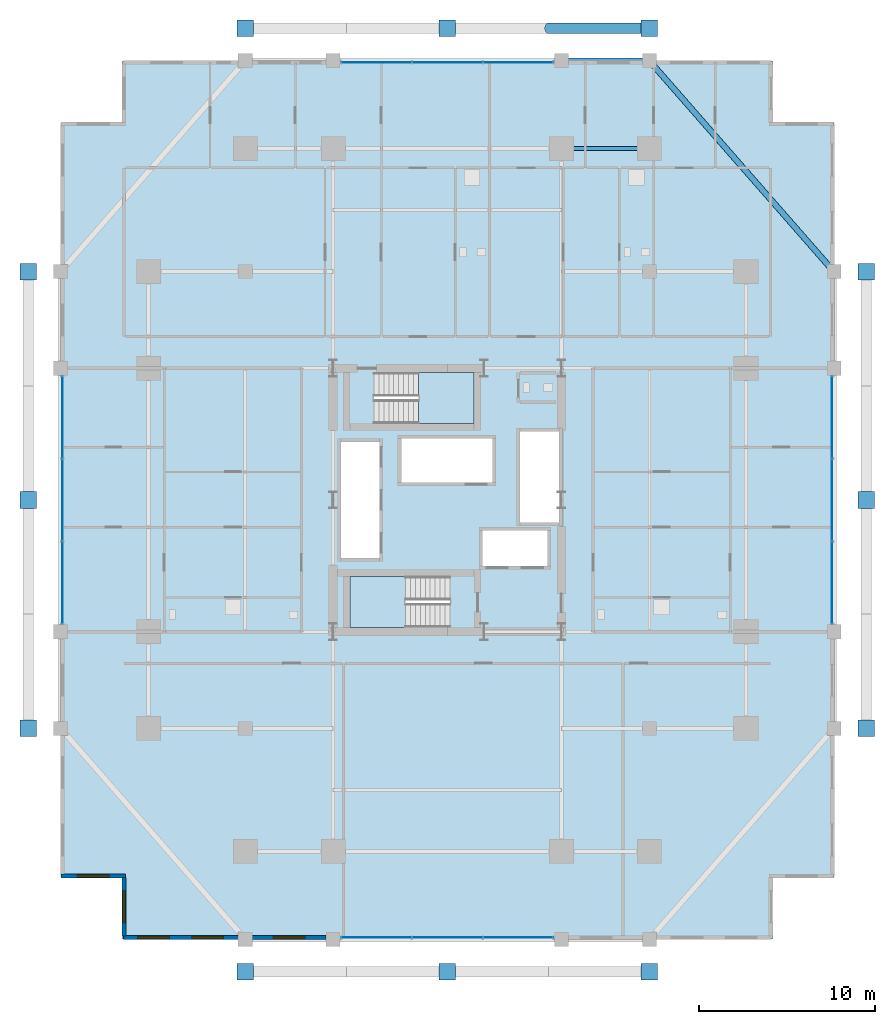
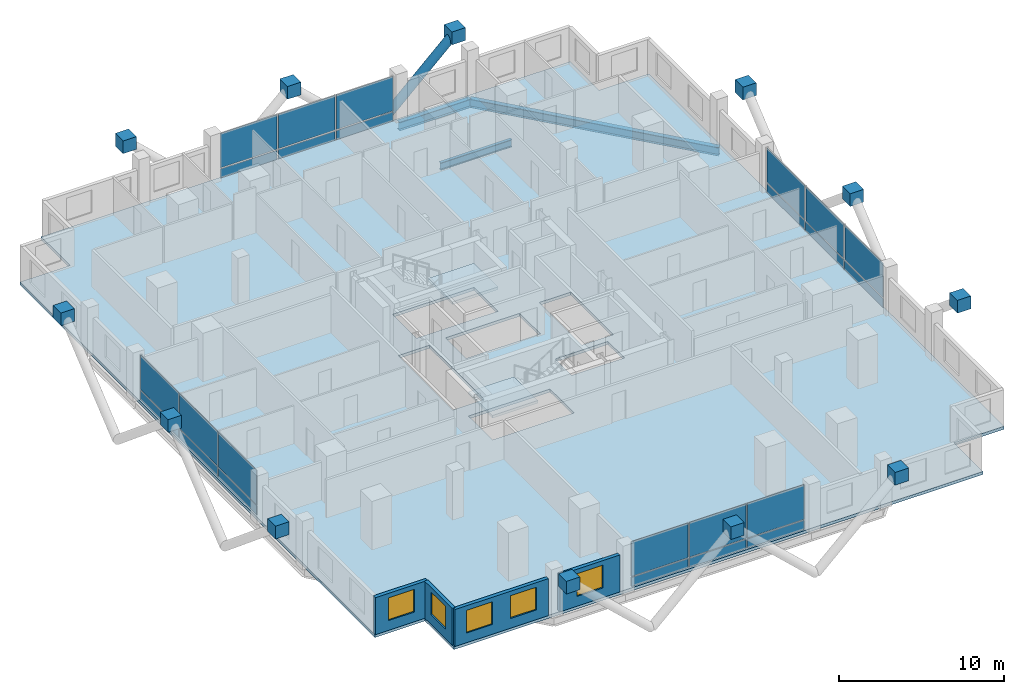
# One storey, part 16 of 23: 36 plates, 5 windows, 4 walls, 3 beams, 3 slabs, 1 member, 5 openings, 6 elements without a shape of their own.
"""IFC4 building model written with IfcOpenShell, lengths in metres."""

import ifcopenshell
import ifcopenshell.guid

model = None  # the IFC model being written
_history = None  # IfcOwnerHistory: only IFC2X3 demands one
_inside = {}  # id of a spatial element -> (the spatial element, [elements in it])
_under = {}  # id of a project, library or spatial element -> (it, [spatial elements below it])
_declared = {}  # id of a project -> (the project, [libraries it declares])
_typed = {}  # id of a type object -> (the type object, [elements of that type])
_made_of = {}  # id of a material, layer set ... -> (it, [elements and type objects made of it])


def new_model(schema):
    """Start an empty IFC model of exactly this schema.

    Asked for "IFC4X3", IfcOpenShell would pick the latest addendum, in which some entities
    have other attributes; the version numbers below select the first issue.
    IFC2X3 requires an IfcOwnerHistory on every rooted entity: one is made here for all.
    """
    global model, _history
    if schema == "IFC4X3":
        model = ifcopenshell.file(schema_version=(4, 3, 0, 0))
    else:
        model = ifcopenshell.file(schema=schema)
    _inside.clear()
    _under.clear()
    _declared.clear()
    _typed.clear()
    _made_of.clear()
    _history = None
    if model.schema == "IFC2X3":
        org = make("IfcOrganization", Name="unknown")
        user = make(
            "IfcPersonAndOrganization",
            ThePerson=make("IfcPerson", FamilyName="unknown"),
            TheOrganization=org,
        )
        app = make(
            "IfcApplication",
            ApplicationDeveloper=org,
            Version="unknown",
            ApplicationFullName="unknown",
            ApplicationIdentifier="unknown",
        )
        _history = make(
            "IfcOwnerHistory",
            OwningUser=user,
            OwningApplication=app,
            ChangeAction="ADDED",
            CreationDate=0,
        )
    return model


def make(cls, **values):
    """One entity of the class cls with the attributes given. An attribute that is None is left unset."""
    return model.create_entity(
        cls, **{name: value for name, value in values.items() if value is not None}
    )


def rooted(cls, **values):
    """An entity with a GlobalId (a new one), such as an element, a storey or a relation."""
    return make(cls, GlobalId=ifcopenshell.guid.new(), OwnerHistory=_history, **values)


def si_unit(unit_type, name, prefix=None):
    """IfcSIUnit, for example si_unit("LENGTHUNIT", "METRE", prefix="MILLI")."""
    return make("IfcSIUnit", UnitType=unit_type, Prefix=prefix, Name=name)


def assignment(units):
    """IfcUnitAssignment: the units of a project."""
    return None if units is None else make("IfcUnitAssignment", Units=units)


def point(xyz):
    """IfcCartesianPoint."""
    return None if xyz is None else make("IfcCartesianPoint", Coordinates=xyz)


def direction(xyz):
    """IfcDirection."""
    return None if xyz is None else make("IfcDirection", DirectionRatios=xyz)


def frame(location, z_axis=None, x_axis=None):
    """IfcAxis2Placement3D, a coordinate frame: its origin and axes. An axis left out is left unset."""
    return make(
        "IfcAxis2Placement3D",
        Location=point(location),
        Axis=direction(z_axis),
        RefDirection=direction(x_axis),
    )


def frame_2d(location, x_axis=None):
    """IfcAxis2Placement2D, a coordinate frame in the plane: its origin and x axis."""
    return make(
        "IfcAxis2Placement2D", Location=point(location), RefDirection=direction(x_axis)
    )


def origin():
    """The frame at (0, 0, 0) with its axes left unset."""
    return frame((0.0, 0.0, 0.0))


def origin_2d():
    """The frame at (0, 0) in the plane with its x axis left unset."""
    return frame_2d((0.0, 0.0))


def place(relative_to, where):
    """IfcLocalPlacement: puts the frame where relative to a parent placement (None: the world)."""
    return make(
        "IfcLocalPlacement", PlacementRelTo=relative_to, RelativePlacement=where
    )


def context(
    kind, dimensions, precision=None, world=None, true_north=None, identifier=None
):
    """IfcGeometricRepresentationContext, for example the 3D "Model" context."""
    return make(
        "IfcGeometricRepresentationContext",
        ContextIdentifier=identifier,
        ContextType=kind,
        CoordinateSpaceDimension=dimensions,
        Precision=precision,
        WorldCoordinateSystem=world,
        TrueNorth=true_north,
    )


def subcontext(parent, identifier, kind, view, scale=None):
    """IfcGeometricRepresentationSubContext, for example "Body" below "Model"."""
    return make(
        "IfcGeometricRepresentationSubContext",
        ContextIdentifier=identifier,
        ContextType=kind,
        ParentContext=parent,
        TargetScale=scale,
        TargetView=view,
    )


def project(units=None, contexts=None):
    """IfcProject with its units and contexts."""
    return rooted(
        "IfcProject",
        Name="project",
        RepresentationContexts=contexts,
        UnitsInContext=assignment(units),
    )


def spatial(cls, under=None, at=None, **own):
    """A site, building, storey or space (cls), placed at a placement, below another one or the project."""
    s = rooted(cls, ObjectPlacement=at, **own)
    if under is not None:
        _under.setdefault(under.id(), (under, []))[1].append(s)
    return s


def polyline(points):
    """IfcPolyline through the points."""
    return make("IfcPolyline", Points=[point(p) for p in points])


def profile(cls, at=None, kind="AREA", **sizes):
    """A parametric profile (cls). Its sizes go by their IFC names, for example OverallWidth=200.0."""
    return make(cls, ProfileType=kind, Position=at, **sizes)


def rectangle(**sizes):
    """IfcRectangleProfileDef."""
    return profile("IfcRectangleProfileDef", **sizes)


def hollow_circle(**sizes):
    """IfcCircleHollowProfileDef."""
    return profile("IfcCircleHollowProfileDef", **sizes)


def i_section(**sizes):
    """IfcIShapeProfileDef."""
    return profile("IfcIShapeProfileDef", **sizes)


def outline(outer, holes=None, kind="AREA"):
    """IfcArbitraryClosedProfileDef: a profile drawn as a closed curve; with holes, ...WithVoids."""
    if holes is None:
        return make("IfcArbitraryClosedProfileDef", ProfileType=kind, OuterCurve=outer)
    return make(
        "IfcArbitraryProfileDefWithVoids",
        ProfileType=kind,
        OuterCurve=outer,
        InnerCurves=holes,
    )


def extrude(swept, where, along, depth):
    """IfcExtrudedAreaSolid: the profile swept, set in the frame where, extruded along a direction by depth."""
    return make(
        "IfcExtrudedAreaSolid",
        SweptArea=swept,
        Position=where,
        ExtrudedDirection=direction(along),
        Depth=depth,
    )


def shape(context_of_items, identifier, shape_type, items):
    """IfcShapeRepresentation: the items that make up one representation, for example the "Body"."""
    return make(
        "IfcShapeRepresentation",
        ContextOfItems=context_of_items,
        RepresentationIdentifier=identifier,
        RepresentationType=shape_type,
        Items=items,
    )


def material(Name=None, Category=None):
    """IfcMaterial."""
    return make("IfcMaterial", Name=Name, Category=Category)


def layer(
    of_material, thickness, ventilated=None, Name=None, Category=None, Priority=None
):
    """IfcMaterialLayer: one layer of a wall or slab, of a material (None: an air gap)."""
    return make(
        "IfcMaterialLayer",
        Material=of_material,
        LayerThickness=thickness,
        IsVentilated=ventilated,
        Name=Name,
        Category=Category,
        Priority=Priority,
    )


def layer_set(layers, Name=None):
    """IfcMaterialLayerSet."""
    return make("IfcMaterialLayerSet", MaterialLayers=layers, LayerSetName=Name)


def material_profile(
    of_material, cross_section, Name=None, Category=None, Priority=None
):
    """IfcMaterialProfile: a cross section and its material."""
    return make(
        "IfcMaterialProfile",
        Name=Name,
        Material=of_material,
        Profile=cross_section,
        Priority=Priority,
        Category=Category,
    )


def profile_set(profiles, Name=None, composite=None):
    """IfcMaterialProfileSet."""
    return make(
        "IfcMaterialProfileSet",
        Name=Name,
        MaterialProfiles=profiles,
        CompositeProfile=composite,
    )


def made_of(thing, what):
    """Note that an element or type object is made of a material, layer set ...; save() writes the relation."""
    if what is not None:
        _made_of.setdefault(what.id(), (what, []))[1].append(thing)
    return thing


def type_object(cls, material=None, **own):
    """A type object (cls), such as IfcWallType, which elements share."""
    return made_of(rooted(cls, **own), material)


def element(
    cls,
    number,
    at=None,
    inside=None,
    cuts=None,
    type_object=None,
    material=None,
    context=None,
    identifier="Body",
    shape_type=None,
    held_by="IfcProductDefinitionShape",
    body=None,
    shapes=None,
    **own,
):
    """One element of the class cls, such as IfcWall. Its Tag is "e" and its number.

    at: its placement. inside: the storey or other place that contains it. cuts: it is an
    opening in that element (IfcRelVoidsElement). A single representation is given by context,
    identifier, shape_type and body (its items); several are given by shapes. held_by: the class
    of the entity that holds the representations. save() writes the other relations.
    """
    e = rooted(cls, Tag="e%d" % number, ObjectPlacement=at, **own)
    if body is not None:
        shapes = [shape(context, identifier, shape_type, body)]
    if shapes is not None:
        e.Representation = make(held_by, Representations=shapes)
    if inside is not None:
        _inside.setdefault(inside.id(), (inside, []))[1].append(e)
    if cuts is not None:
        rooted(
            "IfcRelVoidsElement", RelatingBuildingElement=cuts, RelatedOpeningElement=e
        )
    if type_object is not None:
        _typed.setdefault(type_object.id(), (type_object, []))[1].append(e)
    return made_of(e, material)


def fill(opening, filler):
    """IfcRelFillsElement: the door or window that sits in an opening."""
    return rooted(
        "IfcRelFillsElement",
        RelatingOpeningElement=opening,
        RelatedBuildingElement=filler,
    )


def aggregate(whole, parts):
    """IfcRelAggregates: a whole, such as a stair, and the parts it consists of."""
    return rooted("IfcRelAggregates", RelatingObject=whole, RelatedObjects=parts)


def save(model, path):
    """Write the relations noted so far, then the file.

    IfcRelAggregates (storeys below a building ...), IfcRelContainedInSpatialStructure (elements
    in a storey), IfcRelDefinesByType, IfcRelAssociatesMaterial and IfcRelDeclares: one each for
    every whole, place, type object, material and project.
    """
    for whole, parts in _under.values():
        aggregate(whole, parts)
    for where, things in _inside.values():
        rooted(
            "IfcRelContainedInSpatialStructure",
            RelatedElements=things,
            RelatingStructure=where,
        )
    for kind, things in _typed.values():
        rooted("IfcRelDefinesByType", RelatedObjects=things, RelatingType=kind)
    for what, things in _made_of.values():
        rooted("IfcRelAssociatesMaterial", RelatedObjects=things, RelatingMaterial=what)
    for by, libraries in _declared.values():
        rooted("IfcRelDeclares", RelatingContext=by, RelatedDefinitions=libraries)
    model.write(path)


model = new_model("IFC4")

# Units and contexts
model_context = context("Model", 3, precision=1e-05, world=origin(), true_north=direction((0.0, 1.0)))
body_context = subcontext(model_context, "Body", "Model", "MODEL_VIEW")
ifc_project = project(units=[si_unit("LENGTHUNIT", "METRE"), si_unit("AREAUNIT", "SQUARE_METRE"), si_unit("VOLUMEUNIT", "CUBIC_METRE"), si_unit("PLANEANGLEUNIT", "RADIAN"), si_unit("MASSUNIT", "GRAM", prefix="KILO")], contexts=[model_context])

# Site, building, storey
site_placement = place(None, origin())
site = spatial("IfcSite", under=ifc_project, at=site_placement, CompositionType="ELEMENT")
building_placement = place(site_placement, origin())
building = spatial("IfcBuilding", under=site, at=building_placement, Name="Barlavira Tower and Art Museum", CompositionType="ELEMENT")
storey_placement = place(building_placement, frame((0.0, 0.0, 57.60009765625)))
storey = spatial("IfcBuildingStorey", under=building, at=storey_placement, Name="L13", CompositionType="ELEMENT", Elevation=57.60009765625)

# Member
ifc_material_1 = material(Name="Steel S355", Category="steel")
ifc_material_profile_1 = material_profile(ifc_material_1, hollow_circle(Radius=0.304931640625, WallThickness=0.028076171875, at=origin_2d()), Name="CHS 610.0x28.0")
ifc_profile_set_1 = profile_set([ifc_material_profile_1], Name="Steel S355")
member_type = type_object("IfcMemberType", Name="Pale-Metal Exoskeleton Diagrid Tube CHS 610x28 Steel S355", PredefinedType="BRACE", material=ifc_profile_set_1)
member_placement = place(storey_placement, frame((5.75, 26.85009765625, -1.920166015625), z_axis=(0.728934650808, 0.0, 0.684583285548), x_axis=(0.0, 1.0, 0.0)))
element("IfcMember", 1, at=member_placement, inside=storey, type_object=member_type, Name="L13 Exoskeleton Diagrid Tube N", PredefinedType="BRACE", context=body_context, shape_type="SweptSolid", body=[
    extrude(hollow_circle(Radius=0.304931640625, WallThickness=0.028076171875, at=origin_2d()), origin(), (0.0, 0.0, 1.0), 7.88818359375),
])

# Beams
ifc_material_profile_2 = material_profile(ifc_material_1, i_section(OverallWidth=0.327880859375, OverallDepth=0.62890625, WebThickness=0.013916015625, FlangeThickness=0.021484375, at=origin_2d()), Name="W610x174.0")
ifc_profile_set_2 = profile_set([ifc_material_profile_2], Name="Steel S355")
beam_type_1 = type_object("IfcBeamType", Name="Perimeter Spandrel Edge Beam W610x174 Steel S355", PredefinedType="SPANDREL", material=ifc_profile_set_2)
beam_1_placement = place(storey_placement, frame((22.0, 13.0, -0.53466796875), z_axis=(-0.658504607869, 0.752576694707, 0.0), x_axis=(-0.752576694707, -0.658504607869, 0.0)))
element("IfcBeam", 2, at=beam_1_placement, inside=storey, type_object=beam_type_1, Name="L13 Spandrel 8", PredefinedType="SPANDREL", context=body_context, shape_type="SweptSolid", body=[
    extrude(i_section(OverallWidth=0.327880859375, OverallDepth=0.62890625, WebThickness=0.013916015625, FlangeThickness=0.021484375, at=origin_2d()), origin(), (0.0, 0.0, 1.0), 15.9453125),
])
beam_2_placement = place(storey_placement, frame((6.5, 25.0, -0.53466796875), z_axis=(1.0, 0.0, 0.0), x_axis=(0.0, 1.0, 0.0)))
element("IfcBeam", 3, at=beam_2_placement, inside=storey, type_object=beam_type_1, Name="L13 Spandrel 9", PredefinedType="SPANDREL", context=body_context, shape_type="SweptSolid", body=[
    extrude(i_section(OverallWidth=0.327880859375, OverallDepth=0.62890625, WebThickness=0.013916015625, FlangeThickness=0.021484375, at=origin_2d()), origin(), (0.0, 0.0, 1.0), 5.0),
])
ifc_material_profile_3 = material_profile(ifc_material_1, i_section(OverallWidth=0.214111328125, OverallDepth=0.549072265625, WebThickness=0.0146484375, FlangeThickness=0.023681640625, at=origin_2d()), Name="W530x138.0")
ifc_profile_set_3 = profile_set([ifc_material_profile_3], Name="Steel S355")
beam_type_2 = type_object("IfcBeamType", Name="Zone 1 Primary Floor Girder W530x138 Steel S355", PredefinedType="BEAM", material=ifc_profile_set_3)
beam_3_placement = place(storey_placement, frame((6.5, 20.0, -0.49462890625), z_axis=(1.0, 0.0, 0.0), x_axis=(0.0, 1.0, 0.0)))
element("IfcBeam", 4, at=beam_3_placement, inside=storey, type_object=beam_type_2, Name="L13 Girder M-N3", PredefinedType="BEAM", context=body_context, shape_type="SweptSolid", body=[
    extrude(i_section(OverallWidth=0.214111328125, OverallDepth=0.549072265625, WebThickness=0.0146484375, FlangeThickness=0.023681640625, at=origin_2d()), origin(), (0.0, 0.0, 1.0), 5.0),
])

# Curtain wall, plates
ifc_material_2 = material(Name="Low-iron coastal laminated glass", Category="glass")
ifc_layer_1 = layer(ifc_material_2, 0.179931640625, Name="Low-iron coastal laminated glass")
ifc_layer_set_1 = layer_set([ifc_layer_1], Name="Low-iron coastal laminated glass")
curtain_wall_type = type_object("IfcCurtainWallType", Name="Pale-Metal Unitised Curtain Wall Zone 1", PredefinedType="NOTDEFINED", material=ifc_layer_set_1)
curtain_wall_1_placement = place(storey_placement, origin())
curtain_wall_1 = element("IfcCurtainWall", 5, at=curtain_wall_1_placement, inside=storey, type_object=curtain_wall_type, Name="L13 Curtain Wall CW1-L13-S-B3", PredefinedType="NOTDEFINED")
ifc_material_3 = material(Name="Pale anodised aluminium", Category="aluminium")
ifc_layer_2 = layer(ifc_material_3, 0.044921875, Name="Pale anodised aluminium")
ifc_layer_set_2 = layer_set([ifc_layer_2], Name="Pale anodised aluminium")
plate_type_1 = type_object("IfcPlateType", Name="Curtain Wall Pale-Metal Spandrel Panel 45", PredefinedType="CURTAIN_PANEL", material=ifc_layer_set_2)
plate_1_placement = place(storey_placement, frame((-4.05322265625, -24.89990234375, 0.039794921875), z_axis=(0.0, 0.0, 1.0), x_axis=(1.0, 0.0, 0.0)))
plate_1 = element("IfcPlate", 6, at=plate_1_placement, type_object=plate_type_1, Name="CW1-L13-S-B3 Spandrel Panel 0", PredefinedType="CURTAIN_PANEL", context=body_context, shape_type="SweptSolid", body=[
    extrude(rectangle(XDim=3.953369140625, YDim=0.044921875, at=origin_2d()), origin(), (0.0, 0.0, 1.0), 0.6640625),
])
plate_2_placement = place(storey_placement, frame((0.0, -24.89990234375, 0.039794921875), z_axis=(0.0, 0.0, 1.0), x_axis=(1.0, 0.0, 0.0)))
plate_2 = element("IfcPlate", 7, at=plate_2_placement, type_object=plate_type_1, Name="CW1-L13-S-B3 Spandrel Panel 1", PredefinedType="CURTAIN_PANEL", context=body_context, shape_type="SweptSolid", body=[
    extrude(rectangle(XDim=3.953369140625, YDim=0.044921875, at=origin_2d()), origin(), (0.0, 0.0, 1.0), 0.6640625),
])
plate_3_placement = place(storey_placement, frame((4.05322265625, -24.89990234375, 0.039794921875), z_axis=(0.0, 0.0, 1.0), x_axis=(1.0, 0.0, 0.0)))
plate_3 = element("IfcPlate", 8, at=plate_3_placement, type_object=plate_type_1, Name="CW1-L13-S-B3 Spandrel Panel 2", PredefinedType="CURTAIN_PANEL", context=body_context, shape_type="SweptSolid", body=[
    extrude(rectangle(XDim=3.953369140625, YDim=0.044921875, at=origin_2d()), origin(), (0.0, 0.0, 1.0), 0.6640625),
])

curtain_wall_2_placement = place(storey_placement, origin())
curtain_wall_2 = element("IfcCurtainWall", 9, at=curtain_wall_2_placement, inside=storey, type_object=curtain_wall_type, Name="L13 Curtain Wall CW1-L13-N-B3", PredefinedType="NOTDEFINED")
plate_4_placement = place(storey_placement, frame((4.05322265625, 24.89990234375, 0.039794921875), z_axis=(0.0, 0.0, 1.0), x_axis=(-1.0, 0.0, 0.0)))
plate_4 = element("IfcPlate", 10, at=plate_4_placement, type_object=plate_type_1, Name="CW1-L13-N-B3 Spandrel Panel 0", PredefinedType="CURTAIN_PANEL", context=body_context, shape_type="SweptSolid", body=[
    extrude(rectangle(XDim=3.953369140625, YDim=0.044921875, at=origin_2d()), origin(), (0.0, 0.0, 1.0), 0.6640625),
])
plate_5_placement = place(storey_placement, frame((0.0, 24.89990234375, 0.039794921875), z_axis=(0.0, 0.0, 1.0), x_axis=(-1.0, 0.0, 0.0)))
plate_5 = element("IfcPlate", 11, at=plate_5_placement, type_object=plate_type_1, Name="CW1-L13-N-B3 Spandrel Panel 1", PredefinedType="CURTAIN_PANEL", context=body_context, shape_type="SweptSolid", body=[
    extrude(rectangle(XDim=3.953369140625, YDim=0.044921875, at=origin_2d()), origin(), (0.0, 0.0, 1.0), 0.6640625),
])
plate_6_placement = place(storey_placement, frame((-4.05322265625, 24.89990234375, 0.039794921875), z_axis=(0.0, 0.0, 1.0), x_axis=(-1.0, 0.0, 0.0)))
plate_6 = element("IfcPlate", 12, at=plate_6_placement, type_object=plate_type_1, Name="CW1-L13-N-B3 Spandrel Panel 2", PredefinedType="CURTAIN_PANEL", context=body_context, shape_type="SweptSolid", body=[
    extrude(rectangle(XDim=3.953369140625, YDim=0.044921875, at=origin_2d()), origin(), (0.0, 0.0, 1.0), 0.6640625),
])

curtain_wall_3_placement = place(storey_placement, origin())
curtain_wall_3 = element("IfcCurtainWall", 13, at=curtain_wall_3_placement, inside=storey, type_object=curtain_wall_type, Name="L13 Curtain Wall CW1-L13-W-B3", PredefinedType="NOTDEFINED")
plate_7_placement = place(storey_placement, frame((-21.89990234375, 4.719970703125, 0.039794921875), z_axis=(0.0, 0.0, 1.0), x_axis=(0.0, -1.0, 0.0)))
plate_7 = element("IfcPlate", 14, at=plate_7_placement, type_object=plate_type_1, Name="CW1-L13-W-B3 Spandrel Panel 0", PredefinedType="CURTAIN_PANEL", context=body_context, shape_type="SweptSolid", body=[
    extrude(rectangle(XDim=4.6201171875, YDim=0.044921875, at=origin_2d()), origin(), (0.0, 0.0, 1.0), 0.6640625),
])
plate_8_placement = place(storey_placement, frame((-21.89990234375, 0.0, 0.039794921875), z_axis=(0.0, 0.0, 1.0), x_axis=(0.0, -1.0, 0.0)))
plate_8 = element("IfcPlate", 15, at=plate_8_placement, type_object=plate_type_1, Name="CW1-L13-W-B3 Spandrel Panel 1", PredefinedType="CURTAIN_PANEL", context=body_context, shape_type="SweptSolid", body=[
    extrude(rectangle(XDim=4.6201171875, YDim=0.044921875, at=origin_2d()), origin(), (0.0, 0.0, 1.0), 0.6640625),
])
plate_9_placement = place(storey_placement, frame((-21.89990234375, -4.719970703125, 0.039794921875), z_axis=(0.0, 0.0, 1.0), x_axis=(0.0, -1.0, 0.0)))
plate_9 = element("IfcPlate", 16, at=plate_9_placement, type_object=plate_type_1, Name="CW1-L13-W-B3 Spandrel Panel 2", PredefinedType="CURTAIN_PANEL", context=body_context, shape_type="SweptSolid", body=[
    extrude(rectangle(XDim=4.6201171875, YDim=0.044921875, at=origin_2d()), origin(), (0.0, 0.0, 1.0), 0.6640625),
])

curtain_wall_4_placement = place(storey_placement, origin())
curtain_wall_4 = element("IfcCurtainWall", 17, at=curtain_wall_4_placement, inside=storey, type_object=curtain_wall_type, Name="L13 Curtain Wall CW1-L13-E-B3", PredefinedType="NOTDEFINED")
plate_10_placement = place(storey_placement, frame((21.89990234375, -4.719970703125, 0.039794921875), z_axis=(0.0, 0.0, 1.0), x_axis=(0.0, 1.0, 0.0)))
plate_10 = element("IfcPlate", 18, at=plate_10_placement, type_object=plate_type_1, Name="CW1-L13-E-B3 Spandrel Panel 0", PredefinedType="CURTAIN_PANEL", context=body_context, shape_type="SweptSolid", body=[
    extrude(rectangle(XDim=4.6201171875, YDim=0.044921875, at=origin_2d()), origin(), (0.0, 0.0, 1.0), 0.6640625),
])
plate_11_placement = place(storey_placement, frame((21.89990234375, 0.0, 0.039794921875), z_axis=(0.0, 0.0, 1.0), x_axis=(0.0, 1.0, 0.0)))
plate_11 = element("IfcPlate", 19, at=plate_11_placement, type_object=plate_type_1, Name="CW1-L13-E-B3 Spandrel Panel 1", PredefinedType="CURTAIN_PANEL", context=body_context, shape_type="SweptSolid", body=[
    extrude(rectangle(XDim=4.6201171875, YDim=0.044921875, at=origin_2d()), origin(), (0.0, 0.0, 1.0), 0.6640625),
])
plate_12_placement = place(storey_placement, frame((21.89990234375, 4.719970703125, 0.039794921875), z_axis=(0.0, 0.0, 1.0), x_axis=(0.0, 1.0, 0.0)))
plate_12 = element("IfcPlate", 20, at=plate_12_placement, type_object=plate_type_1, Name="CW1-L13-E-B3 Spandrel Panel 2", PredefinedType="CURTAIN_PANEL", context=body_context, shape_type="SweptSolid", body=[
    extrude(rectangle(XDim=4.6201171875, YDim=0.044921875, at=origin_2d()), origin(), (0.0, 0.0, 1.0), 0.6640625),
])

# Plate
ifc_layer_3 = layer(ifc_material_2, 0.028076171875, Name="Low-iron coastal laminated glass")
ifc_layer_set_3 = layer_set([ifc_layer_3], Name="Low-iron coastal laminated glass")
plate_type_2 = type_object("IfcPlateType", Name="Curtain Wall Vision Glazing Panel 28", PredefinedType="CURTAIN_PANEL", material=ifc_layer_set_3)
plate_13_placement = place(storey_placement, frame((-4.05322265625, -24.89990234375, 0.7841796875), z_axis=(0.0, 0.0, 1.0), x_axis=(1.0, 0.0, 0.0)))
plate_13 = element("IfcPlate", 21, at=plate_13_placement, type_object=plate_type_2, Name="CW1-L13-S-B3 Vision Glass Panel 0", PredefinedType="CURTAIN_PANEL", context=body_context, shape_type="SweptSolid", body=[
    extrude(rectangle(XDim=3.953369140625, YDim=0.028076171875, at=origin_2d()), origin(), (0.0, 0.0, 1.0), 2.555908203125),
])

plate_14_placement = place(storey_placement, frame((0.0, -24.89990234375, 0.7841796875), z_axis=(0.0, 0.0, 1.0), x_axis=(1.0, 0.0, 0.0)))
plate_14 = element("IfcPlate", 22, at=plate_14_placement, type_object=plate_type_2, Name="CW1-L13-S-B3 Vision Glass Panel 1", PredefinedType="CURTAIN_PANEL", context=body_context, shape_type="SweptSolid", body=[
    extrude(rectangle(XDim=3.953369140625, YDim=0.028076171875, at=origin_2d()), origin(), (0.0, 0.0, 1.0), 2.555908203125),
])

plate_15_placement = place(storey_placement, frame((4.05322265625, -24.89990234375, 0.7841796875), z_axis=(0.0, 0.0, 1.0), x_axis=(1.0, 0.0, 0.0)))
plate_15 = element("IfcPlate", 23, at=plate_15_placement, type_object=plate_type_2, Name="CW1-L13-S-B3 Vision Glass Panel 2", PredefinedType="CURTAIN_PANEL", context=body_context, shape_type="SweptSolid", body=[
    extrude(rectangle(XDim=3.953369140625, YDim=0.028076171875, at=origin_2d()), origin(), (0.0, 0.0, 1.0), 2.555908203125),
])

aggregate(curtain_wall_1, [plate_1, plate_13, plate_2, plate_14, plate_3, plate_15])

plate_16_placement = place(storey_placement, frame((4.05322265625, 24.89990234375, 0.7841796875), z_axis=(0.0, 0.0, 1.0), x_axis=(-1.0, 0.0, 0.0)))
plate_16 = element("IfcPlate", 24, at=plate_16_placement, type_object=plate_type_2, Name="CW1-L13-N-B3 Vision Glass Panel 0", PredefinedType="CURTAIN_PANEL", context=body_context, shape_type="SweptSolid", body=[
    extrude(rectangle(XDim=3.953369140625, YDim=0.028076171875, at=origin_2d()), origin(), (0.0, 0.0, 1.0), 2.555908203125),
])

plate_17_placement = place(storey_placement, frame((0.0, 24.89990234375, 0.7841796875), z_axis=(0.0, 0.0, 1.0), x_axis=(-1.0, 0.0, 0.0)))
plate_17 = element("IfcPlate", 25, at=plate_17_placement, type_object=plate_type_2, Name="CW1-L13-N-B3 Vision Glass Panel 1", PredefinedType="CURTAIN_PANEL", context=body_context, shape_type="SweptSolid", body=[
    extrude(rectangle(XDim=3.953369140625, YDim=0.028076171875, at=origin_2d()), origin(), (0.0, 0.0, 1.0), 2.555908203125),
])

plate_18_placement = place(storey_placement, frame((-4.05322265625, 24.89990234375, 0.7841796875), z_axis=(0.0, 0.0, 1.0), x_axis=(-1.0, 0.0, 0.0)))
plate_18 = element("IfcPlate", 26, at=plate_18_placement, type_object=plate_type_2, Name="CW1-L13-N-B3 Vision Glass Panel 2", PredefinedType="CURTAIN_PANEL", context=body_context, shape_type="SweptSolid", body=[
    extrude(rectangle(XDim=3.953369140625, YDim=0.028076171875, at=origin_2d()), origin(), (0.0, 0.0, 1.0), 2.555908203125),
])

aggregate(curtain_wall_2, [plate_4, plate_16, plate_5, plate_17, plate_6, plate_18])

plate_19_placement = place(storey_placement, frame((-21.89990234375, 4.719970703125, 0.7841796875), z_axis=(0.0, 0.0, 1.0), x_axis=(0.0, -1.0, 0.0)))
plate_19 = element("IfcPlate", 27, at=plate_19_placement, type_object=plate_type_2, Name="CW1-L13-W-B3 Vision Glass Panel 0", PredefinedType="CURTAIN_PANEL", context=body_context, shape_type="SweptSolid", body=[
    extrude(rectangle(XDim=4.6201171875, YDim=0.028076171875, at=origin_2d()), origin(), (0.0, 0.0, 1.0), 2.555908203125),
])

plate_20_placement = place(storey_placement, frame((-21.89990234375, 0.0, 0.7841796875), z_axis=(0.0, 0.0, 1.0), x_axis=(0.0, -1.0, 0.0)))
plate_20 = element("IfcPlate", 28, at=plate_20_placement, type_object=plate_type_2, Name="CW1-L13-W-B3 Vision Glass Panel 1", PredefinedType="CURTAIN_PANEL", context=body_context, shape_type="SweptSolid", body=[
    extrude(rectangle(XDim=4.6201171875, YDim=0.028076171875, at=origin_2d()), origin(), (0.0, 0.0, 1.0), 2.555908203125),
])

plate_21_placement = place(storey_placement, frame((-21.89990234375, -4.719970703125, 0.7841796875), z_axis=(0.0, 0.0, 1.0), x_axis=(0.0, -1.0, 0.0)))
plate_21 = element("IfcPlate", 29, at=plate_21_placement, type_object=plate_type_2, Name="CW1-L13-W-B3 Vision Glass Panel 2", PredefinedType="CURTAIN_PANEL", context=body_context, shape_type="SweptSolid", body=[
    extrude(rectangle(XDim=4.6201171875, YDim=0.028076171875, at=origin_2d()), origin(), (0.0, 0.0, 1.0), 2.555908203125),
])

aggregate(curtain_wall_3, [plate_7, plate_19, plate_8, plate_20, plate_9, plate_21])

plate_22_placement = place(storey_placement, frame((21.89990234375, -4.719970703125, 0.7841796875), z_axis=(0.0, 0.0, 1.0), x_axis=(0.0, 1.0, 0.0)))
plate_22 = element("IfcPlate", 30, at=plate_22_placement, type_object=plate_type_2, Name="CW1-L13-E-B3 Vision Glass Panel 0", PredefinedType="CURTAIN_PANEL", context=body_context, shape_type="SweptSolid", body=[
    extrude(rectangle(XDim=4.6201171875, YDim=0.028076171875, at=origin_2d()), origin(), (0.0, 0.0, 1.0), 2.555908203125),
])

plate_23_placement = place(storey_placement, frame((21.89990234375, 0.0, 0.7841796875), z_axis=(0.0, 0.0, 1.0), x_axis=(0.0, 1.0, 0.0)))
plate_23 = element("IfcPlate", 31, at=plate_23_placement, type_object=plate_type_2, Name="CW1-L13-E-B3 Vision Glass Panel 1", PredefinedType="CURTAIN_PANEL", context=body_context, shape_type="SweptSolid", body=[
    extrude(rectangle(XDim=4.6201171875, YDim=0.028076171875, at=origin_2d()), origin(), (0.0, 0.0, 1.0), 2.555908203125),
])

plate_24_placement = place(storey_placement, frame((21.89990234375, 4.719970703125, 0.7841796875), z_axis=(0.0, 0.0, 1.0), x_axis=(0.0, 1.0, 0.0)))
plate_24 = element("IfcPlate", 32, at=plate_24_placement, type_object=plate_type_2, Name="CW1-L13-E-B3 Vision Glass Panel 2", PredefinedType="CURTAIN_PANEL", context=body_context, shape_type="SweptSolid", body=[
    extrude(rectangle(XDim=4.6201171875, YDim=0.028076171875, at=origin_2d()), origin(), (0.0, 0.0, 1.0), 2.555908203125),
])

aggregate(curtain_wall_4, [plate_10, plate_22, plate_11, plate_23, plate_12, plate_24])

# Plates
ifc_layer_4 = layer(ifc_material_1, 0.93994140625, Name="Steel S355")
ifc_layer_set_4 = layer_set([ifc_layer_4], Name="Steel S355")
plate_type_3 = type_object("IfcPlateType", Name="Exoskeleton Solid Steel Node Cap Plate Assembly Type 1 Steel S355", PredefinedType="USERDEFINED", material=ifc_layer_set_4)
for number, where, z_axis, x_axis, name in (
    (33, (-11.5, -26.85009765625, 3.010009765625), (0.0, 0.0, 1.0), (1.0, 0.0, 0.0), "Exoskeleton Node S ND-L13-0077"),
    (34, (0.0, -26.85009765625, 3.010009765625), (0.0, 0.0, 1.0), (1.0, 0.0, 0.0), "Exoskeleton Node S ND-L13-0078"),
    (35, (11.5, -26.85009765625, 3.010009765625), (0.0, 0.0, 1.0), (1.0, 0.0, 0.0), "Exoskeleton Node S ND-L13-0079"),
    (36, (-11.5, 26.85009765625, 3.010009765625), (0.0, 0.0, 1.0), (1.0, 0.0, 0.0), "Exoskeleton Node N ND-L13-0085"),
    (37, (0.0, 26.85009765625, 3.010009765625), (0.0, 0.0, 1.0), (1.0, 0.0, 0.0), "Exoskeleton Node N ND-L13-0086"),
    (38, (11.5, 26.85009765625, 3.010009765625), (0.0, 0.0, 1.0), (1.0, 0.0, 0.0), "Exoskeleton Node N ND-L13-0087"),
    (39, (-23.85009765625, -13.0, 3.010009765625), (0.0, 0.0, 1.0), (1.0, 0.0, 0.0), "Exoskeleton Node W ND-L13-0093"),
    (40, (-23.85009765625, 0.0, 3.010009765625), (0.0, 0.0, 1.0), (1.0, 0.0, 0.0), "Exoskeleton Node W ND-L13-0094"),
    (41, (-23.85009765625, 13.0, 3.010009765625), (0.0, 0.0, 1.0), (1.0, 0.0, 0.0), "Exoskeleton Node W ND-L13-0095"),
    (42, (23.85009765625, -13.0, 3.010009765625), (0.0, 0.0, 1.0), (1.0, 0.0, 0.0), "Exoskeleton Node E ND-L13-0101"),
    (43, (23.85009765625, 0.0, 3.010009765625), (0.0, 0.0, 1.0), (1.0, 0.0, 0.0), "Exoskeleton Node E ND-L13-0102"),
    (44, (23.85009765625, 13.0, 3.010009765625), (0.0, 0.0, 1.0), (1.0, 0.0, 0.0), "Exoskeleton Node E ND-L13-0103"),
):
    element("IfcPlate", number, at=place(storey_placement, frame(where, z_axis=z_axis, x_axis=x_axis)), inside=storey, type_object=plate_type_3, Name=name, ObjectType="FLANGE_PLATE", PredefinedType="USERDEFINED", context=body_context, shape_type="SweptSolid", body=[
        extrude(rectangle(XDim=0.93994140625, YDim=0.93994140625, at=origin_2d()), origin(), (0.0, 0.0, 1.0), 0.93994140625),
    ])

# Stair, slab
ifc_material_4 = material(Name="Concrete C45", Category="concrete")
stair_type_1 = type_object("IfcStairType", Name="Tower North Dog-Leg Exit Stair Assembly Concrete C45", PredefinedType="TWO_QUARTER_TURN_STAIR", material=ifc_material_4)
stair_1_placement = place(storey_placement, origin())
stair_1 = element("IfcStair", 45, at=stair_1_placement, inside=storey, type_object=stair_type_1, Name="L13 Tower North Exit Stair ST-T2", PredefinedType="TWO_QUARTER_TURN_STAIR")
ifc_layer_5 = layer(ifc_material_4, 0.199951171875, Name="Concrete C45")
ifc_layer_set_5 = layer_set([ifc_layer_5], Name="Concrete C45")
slab_type_1 = type_object("IfcSlabType", Name="Tower North Dog-Leg Exit Stair Half-Landing Slab 200 Concrete C45", PredefinedType="LANDING", material=ifc_layer_set_5)
slab_1_placement = place(storey_placement, frame((0.0, 0.0, 1.599853515625)))
slab_1 = element("IfcSlab", 46, at=slab_1_placement, type_object=slab_type_1, Name="ST-T2 landing 1", PredefinedType="LANDING", context=body_context, shape_type="SweptSolid", body=[
    extrude(outline(polyline([(-1.64990234375, 4.35009765625), (1.530029296875, 4.35009765625), (1.530029296875, 7.25), (-1.64990234375, 7.25), (-1.64990234375, 4.35009765625)])), origin(), (0.0, 0.0, 1.0), 0.199951171875),
])
aggregate(stair_1, [slab_1])

stair_type_2 = type_object("IfcStairType", Name="Tower South Dog-Leg Exit Stair Assembly Concrete C45", PredefinedType="TWO_QUARTER_TURN_STAIR", material=ifc_material_4)
stair_2_placement = place(storey_placement, origin())
stair_2 = element("IfcStair", 47, at=stair_2_placement, inside=storey, type_object=stair_type_2, Name="L13 Tower South Exit Stair ST-T1", PredefinedType="TWO_QUARTER_TURN_STAIR")
ifc_layer_6 = layer(ifc_material_4, 0.199951171875, Name="Concrete C45")
ifc_layer_set_6 = layer_set([ifc_layer_6], Name="Concrete C45")
slab_type_2 = type_object("IfcSlabType", Name="Tower South Dog-Leg Exit Stair Half-Landing Slab 200 Concrete C45", PredefinedType="LANDING", material=ifc_layer_set_6)
slab_2_placement = place(storey_placement, frame((0.0, 0.0, 1.599853515625)))
slab_2 = element("IfcSlab", 48, at=slab_2_placement, type_object=slab_type_2, Name="ST-T1 landing 1", PredefinedType="LANDING", context=body_context, shape_type="SweptSolid", body=[
    extrude(outline(polyline([(-2.3701171875, -4.35009765625), (-5.550048828125, -4.35009765625), (-5.550048828125, -7.25), (-2.3701171875, -7.25), (-2.3701171875, -4.35009765625)])), origin(), (0.0, 0.0, 1.0), 0.199951171875),
])
aggregate(stair_2, [slab_2])

# Slab
ifc_material_5 = material(Name="Concrete C50", Category="concrete")
ifc_layer_7 = layer(ifc_material_5, 0.219970703125, Name="Concrete C50")
ifc_layer_set_7 = layer_set([ifc_layer_7], Name="Concrete C50")
slab_type_3 = type_object("IfcSlabType", Name="Zone 1 Residential Composite Slab 220 Concrete C50", PredefinedType="FLOOR", material=ifc_layer_set_7)
slab_3_placement = place(storey_placement, frame((0.0, 0.0, -0.22021484375)))
element("IfcSlab", 49, at=slab_3_placement, inside=storey, type_object=slab_type_3, Name="L13 Tower Floor Slab", PredefinedType="FLOOR", context=body_context, shape_type="SweptSolid", body=[
    extrude(outline(polyline([(-18.5, -25.0), (18.5, -25.0), (18.5, -21.5), (22.0, -21.5), (22.0, 21.5), (18.5, 21.5), (18.5, 25.0), (-18.5, 25.0), (-18.5, 21.5), (-22.0, 21.5), (-22.0, -21.5), (-18.5, -21.5), (-18.5, -25.0)]), holes=[polyline([(0.14990234375, -4.35009765625), (-5.550048828125, -4.35009765625), (-5.550048828125, -7.25), (0.14990234375, -7.25), (0.14990234375, -4.35009765625)]), polyline([(-4.169921875, 4.35009765625), (1.530029296875, 4.35009765625), (1.530029296875, 7.25), (-4.169921875, 7.25), (-4.169921875, 4.35009765625)]), polyline([(-6.050048828125, -3.31005859375), (-3.85009765625, -3.31005859375), (-3.85009765625, 3.31005859375), (-6.050048828125, 3.31005859375), (-6.050048828125, -3.31005859375)]), polyline([(4.14990234375, -1.2900390625), (6.35009765625, -1.2900390625), (6.35009765625, 3.889892578125), (4.14990234375, 3.889892578125), (4.14990234375, -1.2900390625)]), polyline([(-2.6201171875, 1.0), (2.56005859375, 1.0), (2.56005859375, 3.5), (-2.6201171875, 3.5), (-2.6201171875, 1.0)]), polyline([(2.0, -3.75), (5.699951171875, -3.75), (5.699951171875, -1.75), (2.0, -1.75), (2.0, -3.75)])]), origin(), (0.0, 0.0, 1.0), 0.22021484375),
])

# Wall, openings, windows
ifc_material_6 = material(Name="Precast concrete C40", Category="concrete")
ifc_layer_8 = layer(ifc_material_6, 0.25, Name="Precast concrete C40")
ifc_layer_set_8 = layer_set([ifc_layer_8], Name="Precast concrete C40")
wall_type = type_object("IfcWallType", Name="Notched Corner Spandrel Wall 250 Precast Concrete C40", PredefinedType="SOLIDWALL", material=ifc_layer_set_8)
wall_1_placement = place(storey_placement, frame((-18.425048828125, -24.89990234375, 0.0), z_axis=(0.0, 0.0, 1.0), x_axis=(1.0, 0.0, 0.0)))
wall_1 = element("IfcWall", 50, at=wall_1_placement, inside=storey, type_object=wall_type, Name="L13 Coastal Facade Pier Wall CW1-L13-S-1", PredefinedType="SOLIDWALL", context=body_context, shape_type="SweptSolid", body=[
    extrude(rectangle(XDim=6.530029296875, YDim=0.25, at=frame_2d((3.26513671875, 0.0))), origin(), (0.0, 0.0, 1.0), 2.73583984375),
])
opening_1_placement = place(wall_1_placement, frame((0.801025390625, 0.0, 0.719970703125)))
opening_1 = element("IfcOpeningElement", 51, at=opening_1_placement, cuts=wall_1, Name="Opening WN-01", PredefinedType="OPENING", context=body_context, shape_type="SweptSolid", body=[
    extrude(rectangle(XDim=1.800048828125, YDim=1.679931640625, at=frame_2d((0.89990234375, 0.83984375))), frame((0.0, 0.135009765625, 0.0), z_axis=(0.0, -1.0, 0.0), x_axis=(1.0, 0.0, 0.0)), (0.0, 0.0, 1.0), 0.27001953125),
])
opening_2_placement = place(wall_1_placement, frame((3.884033203125, 0.0, 0.719970703125)))
opening_2 = element("IfcOpeningElement", 52, at=opening_2_placement, cuts=wall_1, Name="Opening WN-01", PredefinedType="OPENING", context=body_context, shape_type="SweptSolid", body=[
    extrude(rectangle(XDim=1.800048828125, YDim=1.679931640625, at=frame_2d((0.89990234375, 0.83984375))), frame((0.0, 0.135009765625, 0.0), z_axis=(0.0, -1.0, 0.0), x_axis=(1.0, 0.0, 0.0)), (0.0, 0.0, 1.0), 0.27001953125),
])
window_type = type_object("IfcWindowType", Name="Recessed Notch Corner Punch Window 1800x1680", PartitioningType="SINGLE_PANEL", PredefinedType="WINDOW", material=ifc_material_2)
window_1_placement = place(opening_1_placement, origin())
window_1 = element("IfcWindow", 53, at=window_1_placement, inside=storey, type_object=window_type, Name="L13 Punched Facade Window EWP-CW1-L13-S-1-1", OverallHeight=1.679931640625, OverallWidth=1.800048828125, PartitioningType="SINGLE_PANEL", PredefinedType="WINDOW", context=body_context, shape_type="SweptSolid", body=[
    extrude(rectangle(XDim=1.800048828125, YDim=1.679931640625, at=frame_2d((0.89990234375, 0.83984375))), frame((0.0, 0.030029296875, 0.0), z_axis=(0.0, -1.0, 0.0), x_axis=(1.0, 0.0, 0.0)), (0.0, 0.0, 1.0), 0.06005859375),
])
fill(opening_1, window_1)
window_2_placement = place(opening_2_placement, origin())
window_2 = element("IfcWindow", 54, at=window_2_placement, inside=storey, type_object=window_type, Name="L13 Punched Facade Window EWP-CW1-L13-S-1-2", OverallHeight=1.679931640625, OverallWidth=1.800048828125, PartitioningType="SINGLE_PANEL", PredefinedType="WINDOW", context=body_context, shape_type="SweptSolid", body=[
    extrude(rectangle(XDim=1.800048828125, YDim=1.679931640625, at=frame_2d((0.89990234375, 0.83984375))), frame((0.0, 0.030029296875, 0.0), z_axis=(0.0, -1.0, 0.0), x_axis=(1.0, 0.0, 0.0)), (0.0, 0.0, 1.0), 0.06005859375),
])
fill(opening_2, window_2)

# Wall, opening, window
wall_2_placement = place(storey_placement, frame((-11.10498046875, -24.89990234375, 0.0), z_axis=(0.0, 0.0, 1.0), x_axis=(1.0, 0.0, 0.0)))
wall_2 = element("IfcWall", 55, at=wall_2_placement, inside=storey, type_object=wall_type, Name="L13 Coastal Facade Pier Wall CW1-L13-S-2", PredefinedType="SOLIDWALL", context=body_context, shape_type="SweptSolid", body=[
    extrude(rectangle(XDim=4.2099609375, YDim=0.25, at=frame_2d((2.10498046875, 0.0))), origin(), (0.0, 0.0, 1.0), 2.73583984375),
])
opening_3_placement = place(wall_2_placement, frame((1.205078125, 0.0, 0.719970703125)))
opening_3 = element("IfcOpeningElement", 56, at=opening_3_placement, cuts=wall_2, Name="Opening WN-01", PredefinedType="OPENING", context=body_context, shape_type="SweptSolid", body=[
    extrude(rectangle(XDim=1.800048828125, YDim=1.679931640625, at=frame_2d((0.89990234375, 0.83984375))), frame((0.0, 0.135009765625, 0.0), z_axis=(0.0, -1.0, 0.0), x_axis=(1.0, 0.0, 0.0)), (0.0, 0.0, 1.0), 0.27001953125),
])
window_3_placement = place(opening_3_placement, origin())
window_3 = element("IfcWindow", 57, at=window_3_placement, inside=storey, type_object=window_type, Name="L13 Punched Facade Window EWP-CW1-L13-S-2-1", OverallHeight=1.679931640625, OverallWidth=1.800048828125, PartitioningType="SINGLE_PANEL", PredefinedType="WINDOW", context=body_context, shape_type="SweptSolid", body=[
    extrude(rectangle(XDim=1.800048828125, YDim=1.679931640625, at=frame_2d((0.89990234375, 0.83984375))), frame((0.0, 0.030029296875, 0.0), z_axis=(0.0, -1.0, 0.0), x_axis=(1.0, 0.0, 0.0)), (0.0, 0.0, 1.0), 0.06005859375),
])
fill(opening_3, window_3)

wall_3_placement = place(storey_placement, frame((-21.97998046875, -21.39990234375, 0.0), z_axis=(0.0, 0.0, 1.0), x_axis=(1.0, 0.0, 0.0)))
wall_3 = element("IfcWall", 58, at=wall_3_placement, inside=storey, type_object=wall_type, Name="L13 Notch Corner Wall SW1", PredefinedType="SOLIDWALL", context=body_context, shape_type="SweptSolid", body=[
    extrude(rectangle(XDim=3.659912109375, YDim=0.25, at=frame_2d((1.830078125, 0.0))), origin(), (0.0, 0.0, 1.0), 2.73583984375),
])
opening_4_placement = place(wall_3_placement, frame((0.929931640625, 0.0, 0.719970703125)))
opening_4 = element("IfcOpeningElement", 59, at=opening_4_placement, cuts=wall_3, Name="Opening WN-01", PredefinedType="OPENING", context=body_context, shape_type="SweptSolid", body=[
    extrude(rectangle(XDim=1.800048828125, YDim=1.679931640625, at=frame_2d((0.89990234375, 0.83984375))), frame((0.0, 0.135009765625, 0.0), z_axis=(0.0, -1.0, 0.0), x_axis=(1.0, 0.0, 0.0)), (0.0, 0.0, 1.0), 0.27001953125),
])
window_4_placement = place(opening_4_placement, origin())
window_4 = element("IfcWindow", 60, at=window_4_placement, inside=storey, type_object=window_type, Name="L13 Punched Facade Window EW-NTC-L13-SW1-1", OverallHeight=1.679931640625, OverallWidth=1.800048828125, PartitioningType="SINGLE_PANEL", PredefinedType="WINDOW", context=body_context, shape_type="SweptSolid", body=[
    extrude(rectangle(XDim=1.800048828125, YDim=1.679931640625, at=frame_2d((0.89990234375, 0.83984375))), frame((0.0, 0.030029296875, 0.0), z_axis=(0.0, -1.0, 0.0), x_axis=(1.0, 0.0, 0.0)), (0.0, 0.0, 1.0), 0.06005859375),
])
fill(opening_4, window_4)

wall_4_placement = place(storey_placement, frame((-18.39990234375, -21.47998046875, 0.0), z_axis=(0.0, 0.0, 1.0), x_axis=(0.0, -1.0, 0.0)))
wall_4 = element("IfcWall", 61, at=wall_4_placement, inside=storey, type_object=wall_type, Name="L13 Notch Corner Wall SW2", PredefinedType="SOLIDWALL", context=body_context, shape_type="SweptSolid", body=[
    extrude(rectangle(XDim=3.340087890625, YDim=0.25, at=frame_2d((1.669921875, 0.0))), origin(), (0.0, 0.0, 1.0), 2.73583984375),
])
opening_5_placement = place(wall_4_placement, frame((0.77001953125, 0.0, 0.719970703125)))
opening_5 = element("IfcOpeningElement", 62, at=opening_5_placement, cuts=wall_4, Name="Opening WN-01", PredefinedType="OPENING", context=body_context, shape_type="SweptSolid", body=[
    extrude(rectangle(XDim=1.800048828125, YDim=1.679931640625, at=frame_2d((0.89990234375, 0.83984375))), frame((0.0, 0.135009765625, 0.0), z_axis=(0.0, -1.0, 0.0), x_axis=(1.0, 0.0, 0.0)), (0.0, 0.0, 1.0), 0.27001953125),
])
window_5_placement = place(opening_5_placement, origin())
window_5 = element("IfcWindow", 63, at=window_5_placement, inside=storey, type_object=window_type, Name="L13 Punched Facade Window EW-NTC-L13-SW2-1", OverallHeight=1.679931640625, OverallWidth=1.800048828125, PartitioningType="SINGLE_PANEL", PredefinedType="WINDOW", context=body_context, shape_type="SweptSolid", body=[
    extrude(rectangle(XDim=1.800048828125, YDim=1.679931640625, at=frame_2d((0.89990234375, 0.83984375))), frame((0.0, 0.030029296875, 0.0), z_axis=(0.0, -1.0, 0.0), x_axis=(1.0, 0.0, 0.0)), (0.0, 0.0, 1.0), 0.06005859375),
])
fill(opening_5, window_5)

save(model, "model.ifc")
